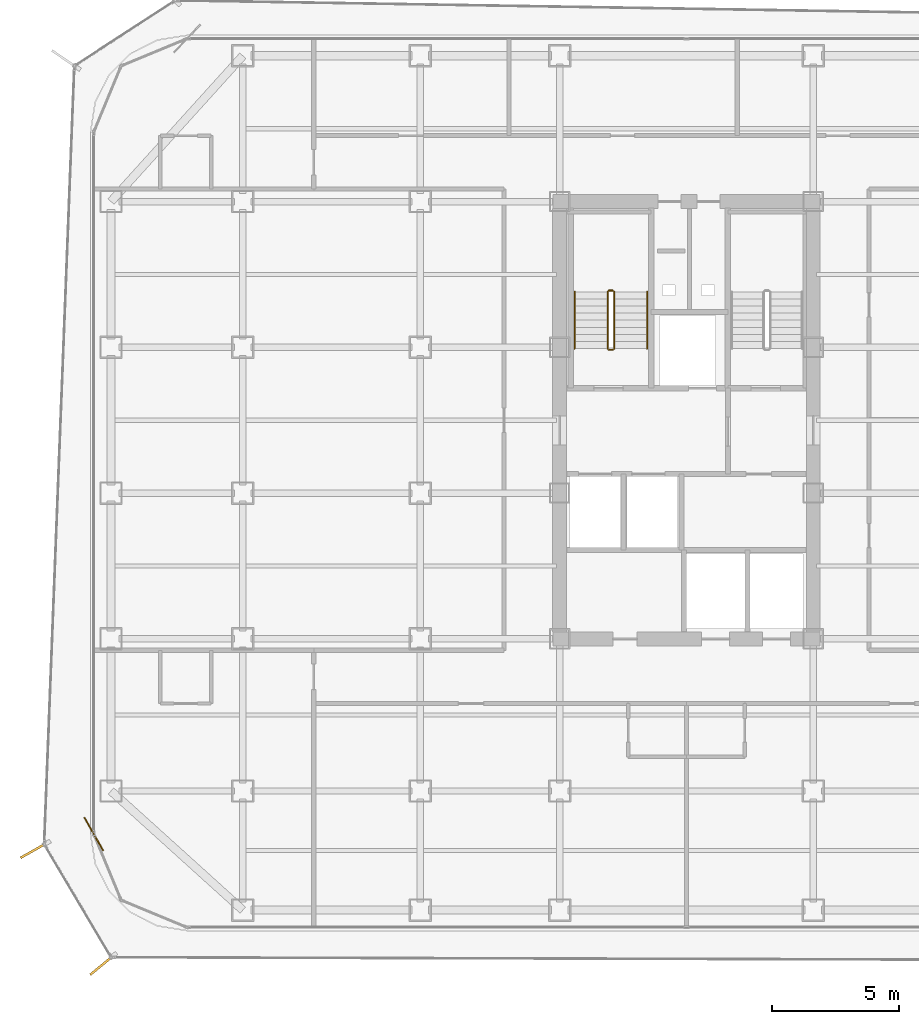
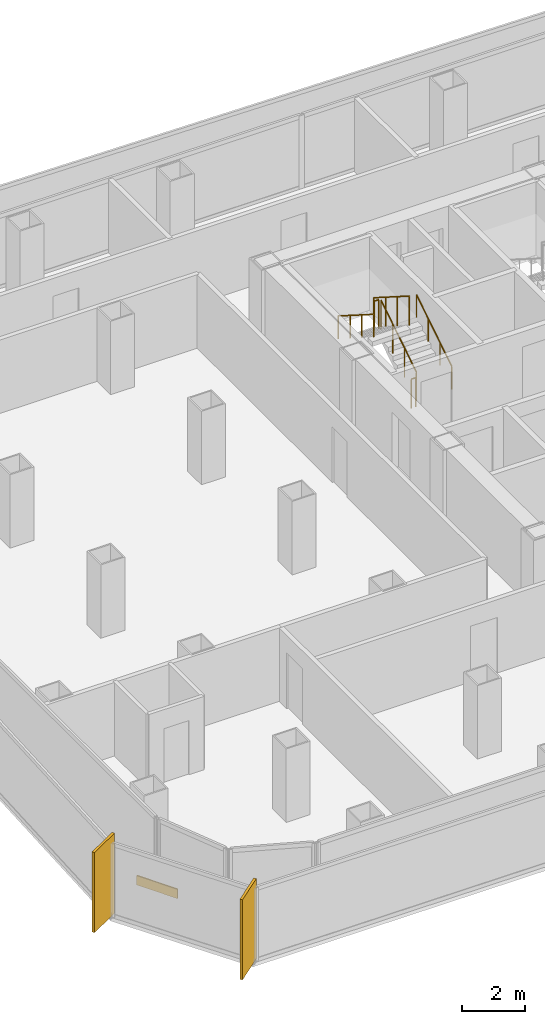
# One storey, part 19 of 21: 6 railings, 2 shading devices, 1 covering.
"""IFC4 building model written with IfcOpenShell, lengths in metres."""

from ifc_helpers import new_model, si_unit, direction, frame, origin, origin_2d, place, context, subcontext, project, spatial, rectangle, circle, extrude, source, transform, mapped, material, layer, layer_set, type_object, element, save


model = new_model("IFC4")

# Units and contexts
model_context = context("Model", 3, precision=1e-05, world=origin(), true_north=direction((0.0, 1.0)))
body_context = subcontext(model_context, "Body", "Model", "MODEL_VIEW")
ifc_project = project(units=[si_unit("LENGTHUNIT", "METRE"), si_unit("AREAUNIT", "SQUARE_METRE"), si_unit("VOLUMEUNIT", "CUBIC_METRE"), si_unit("PLANEANGLEUNIT", "RADIAN"), si_unit("MASSUNIT", "GRAM", prefix="KILO")], contexts=[model_context])

# Site, building, storey
site_placement = place(None, origin())
site = spatial("IfcSite", under=ifc_project, at=site_placement, CompositionType="ELEMENT")
building_placement = place(site_placement, origin())
building = spatial("IfcBuilding", under=site, at=building_placement, Name="Kolveth Station Tower", CompositionType="ELEMENT")
storey_placement = place(building_placement, frame((0.0, 0.0, 140.699951171875)))
storey = spatial("IfcBuildingStorey", under=building, at=storey_placement, Name="L39", CompositionType="ELEMENT", Elevation=140.699951171875)

# Railings
ifc_material_1 = material(Name="Painted Steel S355 balustrade", Category="steel")
railing_type_1 = type_object("IfcRailingType", Name="Guard_GR2", PredefinedType="BALUSTRADE", material=ifc_material_1)
railing_1_placement = place(storey_placement, frame((20.64990234375, 22.949951171875, 0.177734375)))
element("IfcRailing", 1, at=railing_1_placement, inside=storey, type_object=railing_type_1, Name="L39 ST1 stair guard 1", PredefinedType="BALUSTRADE", context=body_context, shape_type="SweptSolid", body=[
    extrude(circle(Radius=0.02392578125, at=origin_2d()), frame((0.0, 0.0, 1.1259765625), z_axis=(0.0, 0.84418770128, 0.536047689118), x_axis=(-1.0, 0.0, 0.0)), (0.0, 0.0, 1.0), 2.6533203125),
    extrude(circle(Radius=0.02099609375, at=origin_2d()), origin(), (0.0, 0.0, 1.0), 1.101806640625),
    extrude(circle(Radius=0.02099609375, at=origin_2d()), frame((0.0, 0.74658203125, 0.47412109375)), (0.0, 0.0, 1.0), 1.101806640625),
    extrude(circle(Radius=0.02099609375, at=origin_2d()), frame((0.0, 1.493408203125, 0.9482421875)), (0.0, 0.0, 1.0), 1.101806640625),
    extrude(circle(Radius=0.02099609375, at=origin_2d()), frame((0.0, 2.239990234375, 1.42236328125)), (0.0, 0.0, 1.0), 1.101806640625),
])
railing_2_placement = place(storey_placement, frame((20.60009765625, 25.239990234375, 1.60009765625)))
element("IfcRailing", 2, at=railing_2_placement, inside=storey, type_object=railing_type_1, Name="L39 ST1 stair guard 2", PredefinedType="BALUSTRADE", context=body_context, shape_type="SweptSolid", body=[
    extrude(circle(Radius=0.02392578125, at=origin_2d()), frame((0.0, 0.0, 1.1259765625), z_axis=(-1.0, 0.0, 0.0), x_axis=(0.0, -1.0, 0.0)), (0.0, 0.0, 1.0), 0.16015625),
    extrude(circle(Radius=0.02099609375, at=origin_2d()), origin(), (0.0, 0.0, 1.0), 1.101806640625),
    extrude(circle(Radius=0.02099609375, at=origin_2d()), frame((-0.16015625, 0.0, 0.0)), (0.0, 0.0, 1.0), 1.101806640625),
])
railing_3_placement = place(storey_placement, frame((20.389892578125, 25.18994140625, 1.77783203125)))
element("IfcRailing", 3, at=railing_3_placement, inside=storey, type_object=railing_type_1, Name="L39 ST1 stair guard 3", PredefinedType="BALUSTRADE", context=body_context, shape_type="SweptSolid", body=[
    extrude(circle(Radius=0.02392578125, at=origin_2d()), frame((0.0, 0.0, 1.1259765625), z_axis=(0.0, -0.8442293374, 0.53598211339), x_axis=(1.0, 0.0, 0.0)), (0.0, 0.0, 1.0), 2.6533203125),
    extrude(circle(Radius=0.02099609375, at=origin_2d()), origin(), (0.0, 0.0, 1.0), 1.101806640625),
    extrude(circle(Radius=0.02099609375, at=origin_2d()), frame((0.0, -0.74658203125, 0.47412109375)), (0.0, 0.0, 1.0), 1.101806640625),
    extrude(circle(Radius=0.02099609375, at=origin_2d()), frame((0.0, -1.493408203125, 0.947998046875)), (0.0, 0.0, 1.0), 1.101806640625),
    extrude(circle(Radius=0.02099609375, at=origin_2d()), frame((0.0, -2.239990234375, 1.422119140625)), (0.0, 0.0, 1.0), 1.101806640625),
])
railing_4_placement = place(storey_placement, frame((20.60009765625, 22.89990234375, 0.0)))
element("IfcRailing", 4, at=railing_4_placement, inside=storey, type_object=railing_type_1, Name="L39 ST1 stair guard 4", PredefinedType="BALUSTRADE", context=body_context, shape_type="SweptSolid", body=[
    extrude(circle(Radius=0.02392578125, at=origin_2d()), frame((0.0, 0.0, 1.1259765625), z_axis=(-1.0, 0.0, 0.0), x_axis=(0.0, -1.0, 0.0)), (0.0, 0.0, 1.0), 0.16015625),
    extrude(circle(Radius=0.02099609375, at=origin_2d()), origin(), (0.0, 0.0, 1.0), 1.101806640625),
    extrude(circle(Radius=0.02099609375, at=origin_2d()), frame((-0.16015625, 0.0, 0.0)), (0.0, 0.0, 1.0), 1.101806640625),
])
ifc_material_2 = material(Name="Brushed stainless steel", Category="steel")
railing_type_2 = type_object("IfcRailingType", Name="Handrail_HR1", PredefinedType="HANDRAIL", material=ifc_material_2)
railing_5_placement = place(storey_placement, frame((21.949951171875, 22.949951171875, 0.177734375)))
element("IfcRailing", 5, at=railing_5_placement, inside=storey, type_object=railing_type_2, Name="L39 ST1 stair handrail 1", PredefinedType="HANDRAIL", context=body_context, shape_type="SweptSolid", body=[
    extrude(circle(Radius=0.02392578125, at=origin_2d()), frame((0.0, 0.0, 0.8759765625), z_axis=(0.0, 0.84418770128, 0.536047689118), x_axis=(-1.0, 0.0, 0.0)), (0.0, 0.0, 1.0), 2.6533203125),
    extrude(circle(Radius=0.02099609375, at=origin_2d()), origin(), (0.0, 0.0, 1.0), 0.851806640625),
    extrude(circle(Radius=0.02099609375, at=origin_2d()), frame((0.0, 0.74658203125, 0.47412109375)), (0.0, 0.0, 1.0), 0.851806640625),
    extrude(circle(Radius=0.02099609375, at=origin_2d()), frame((0.0, 1.493408203125, 0.9482421875)), (0.0, 0.0, 1.0), 0.851806640625),
    extrude(circle(Radius=0.02099609375, at=origin_2d()), frame((0.0, 2.239990234375, 1.42236328125)), (0.0, 0.0, 1.0), 0.851806640625),
])
railing_6_placement = place(storey_placement, frame((19.090087890625, 25.18994140625, 1.77783203125)))
element("IfcRailing", 6, at=railing_6_placement, inside=storey, type_object=railing_type_2, Name="L39 ST1 stair handrail 2", PredefinedType="HANDRAIL", context=body_context, shape_type="SweptSolid", body=[
    extrude(circle(Radius=0.02392578125, at=origin_2d()), frame((0.0, 0.0, 0.8759765625), z_axis=(0.0, -0.8442293374, 0.53598211339), x_axis=(1.0, 0.0, 0.0)), (0.0, 0.0, 1.0), 2.6533203125),
    extrude(circle(Radius=0.02099609375, at=origin_2d()), origin(), (0.0, 0.0, 1.0), 0.851806640625),
    extrude(circle(Radius=0.02099609375, at=origin_2d()), frame((0.0, -0.74658203125, 0.47412109375)), (0.0, 0.0, 1.0), 0.851806640625),
    extrude(circle(Radius=0.02099609375, at=origin_2d()), frame((0.0, -1.493408203125, 0.947998046875)), (0.0, 0.0, 1.0), 0.851806640625),
    extrude(circle(Radius=0.02099609375, at=origin_2d()), frame((0.0, -2.239990234375, 1.422119140625)), (0.0, 0.0, 1.0), 0.851806640625),
])

# Shading devices
ifc_material_3 = material(Name="Black anodized aluminium 6063-T6", Category="aluminium")
shading_device_type = type_object("IfcShadingDeviceType", Name="FIN_VF1", PredefinedType="USERDEFINED", material=ifc_material_3)
shared_shape_1 = source(origin(), body_context, "Body", "SweptSolid", [
    extrude(rectangle(XDim=1.25, YDim=0.090087890625, at=origin_2d()), origin(), (0.0, 0.0, 1.0), 3.10009765625),
])
for number, where, z_axis, x_axis, name in (
    (7, (-2.222900390625, 3.1689453125, 0.0), (0.0, 0.0, 1.0), (-0.871385115776, -0.490599612724, 0.0), "L39 Dark-Aluminium Solar Fin 7"),
    (8, (0.4619140625, -1.35205078125, 0.0), (0.0, 0.0, 1.0), (-0.771402503197, -0.636347529312, 0.0), "L39 Dark-Aluminium Solar Fin 8"),
):
    element("IfcShadingDevice", number, at=place(storey_placement, frame(where, z_axis=z_axis, x_axis=x_axis)), inside=storey, type_object=shading_device_type, Name=name, ObjectType="FIN", PredefinedType="USERDEFINED", context=body_context, shape_type="MappedRepresentation", body=[
        mapped(shared_shape_1, transform((0.0, 0.0, 0.0), x_axis=(1.0, 0.0, 0.0), y_axis=(0.0, 1.0, 0.0), z_axis=(0.0, 0.0, 1.0), scale=1.0)),
    ])

# Covering
ifc_material_4 = material(Name="Charcoal anodized aluminium spandrel cladding", Category="aluminium")
ifc_layer = layer(ifc_material_4, 0.044921875)
ifc_layer_set = layer_set([ifc_layer], Name="Charcoal anodized aluminium spandrel cladding")
covering_type = type_object("IfcCoveringType", Name="Clad_CD1", PredefinedType="CLADDING", material=ifc_layer_set)
shared_shape_2 = source(origin(), body_context, "Body", "SweptSolid", [
    extrude(rectangle(XDim=1.5, YDim=0.044921875, at=origin_2d()), origin(), (0.0, 0.0, 1.0), 0.360107421875),
])
covering_placement = place(storey_placement, frame((0.1201171875, 3.800048828125, 0.0), z_axis=(0.0, 0.0, 1.0), x_axis=(0.490599612724, -0.871385115776, 0.0)))
element("IfcCovering", 9, at=covering_placement, inside=storey, type_object=covering_type, Name="L39 Spandrel Edge Cladding 7", PredefinedType="CLADDING", context=body_context, shape_type="MappedRepresentation", body=[
    mapped(shared_shape_2, transform((0.0, 0.0, 0.0), x_axis=(1.0, 0.0, 0.0), y_axis=(0.0, 1.0, 0.0), z_axis=(0.0, 0.0, 1.0), scale=1.0)),
])

save(model, "model.ifc")
